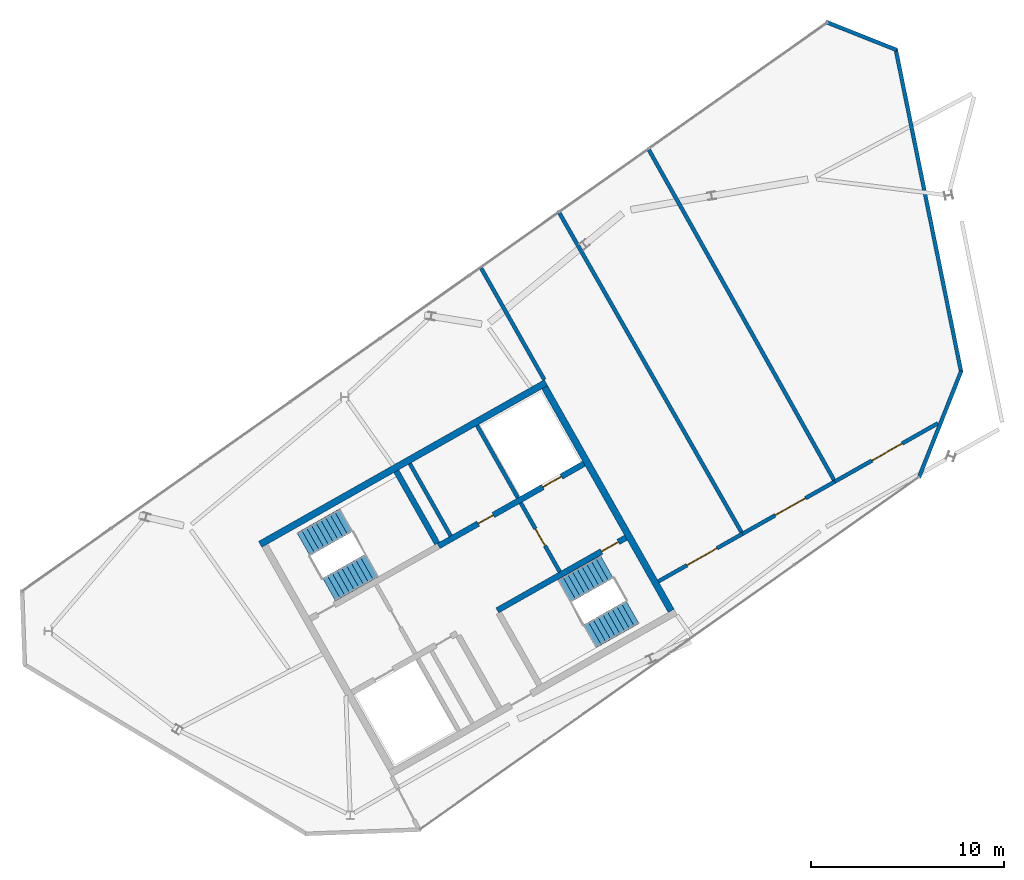
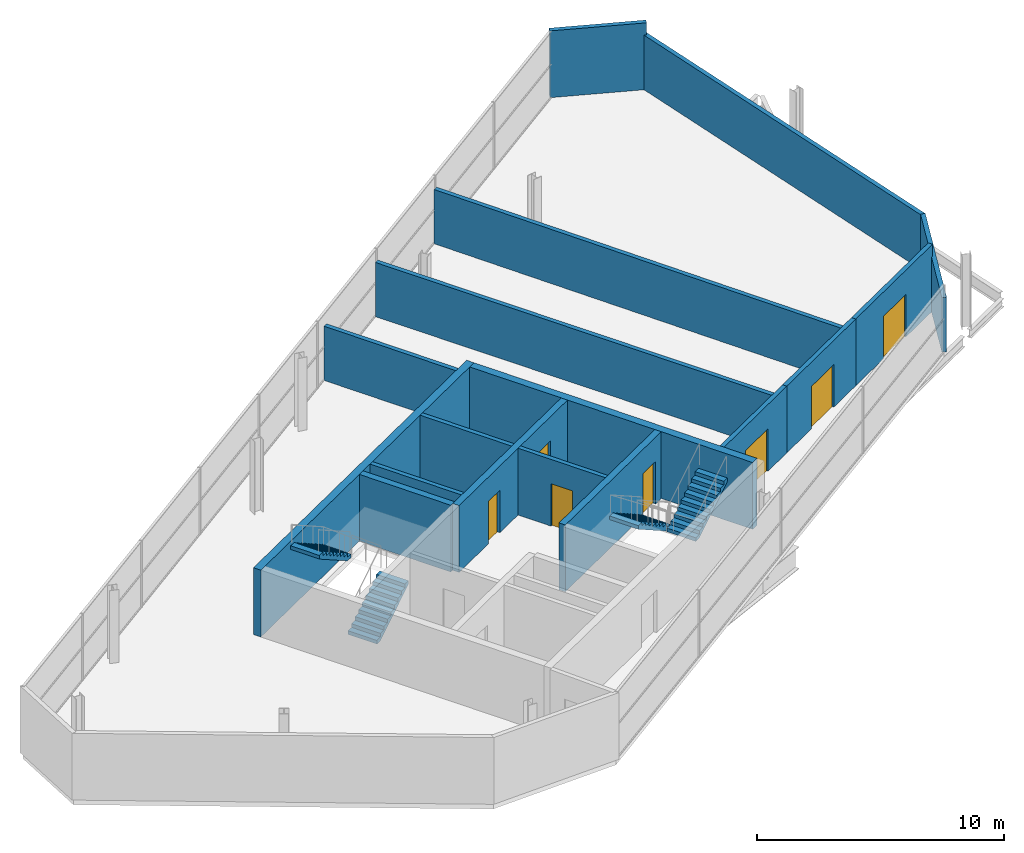
# One storey, part 10 of 11: 17 walls, 7 doors, 4 stair flights, 7 openings, 2 elements without a shape of their own.
"""IFC4 building model written with IfcOpenShell, lengths in metres."""

import ifcopenshell
import ifcopenshell.guid

model = None  # the IFC model being written
_history = None  # IfcOwnerHistory: only IFC2X3 demands one
_inside = {}  # id of a spatial element -> (the spatial element, [elements in it])
_under = {}  # id of a project, library or spatial element -> (it, [spatial elements below it])
_declared = {}  # id of a project -> (the project, [libraries it declares])
_typed = {}  # id of a type object -> (the type object, [elements of that type])
_made_of = {}  # id of a material, layer set ... -> (it, [elements and type objects made of it])


def new_model(schema):
    """Start an empty IFC model of exactly this schema.

    Asked for "IFC4X3", IfcOpenShell would pick the latest addendum, in which some entities
    have other attributes; the version numbers below select the first issue.
    IFC2X3 requires an IfcOwnerHistory on every rooted entity: one is made here for all.
    """
    global model, _history
    if schema == "IFC4X3":
        model = ifcopenshell.file(schema_version=(4, 3, 0, 0))
    else:
        model = ifcopenshell.file(schema=schema)
    _inside.clear()
    _under.clear()
    _declared.clear()
    _typed.clear()
    _made_of.clear()
    _history = None
    if model.schema == "IFC2X3":
        org = make("IfcOrganization", Name="unknown")
        user = make(
            "IfcPersonAndOrganization",
            ThePerson=make("IfcPerson", FamilyName="unknown"),
            TheOrganization=org,
        )
        app = make(
            "IfcApplication",
            ApplicationDeveloper=org,
            Version="unknown",
            ApplicationFullName="unknown",
            ApplicationIdentifier="unknown",
        )
        _history = make(
            "IfcOwnerHistory",
            OwningUser=user,
            OwningApplication=app,
            ChangeAction="ADDED",
            CreationDate=0,
        )
    return model


def make(cls, **values):
    """One entity of the class cls with the attributes given. An attribute that is None is left unset."""
    return model.create_entity(
        cls, **{name: value for name, value in values.items() if value is not None}
    )


def rooted(cls, **values):
    """An entity with a GlobalId (a new one), such as an element, a storey or a relation."""
    return make(cls, GlobalId=ifcopenshell.guid.new(), OwnerHistory=_history, **values)


def si_unit(unit_type, name, prefix=None):
    """IfcSIUnit, for example si_unit("LENGTHUNIT", "METRE", prefix="MILLI")."""
    return make("IfcSIUnit", UnitType=unit_type, Prefix=prefix, Name=name)


def assignment(units):
    """IfcUnitAssignment: the units of a project."""
    return None if units is None else make("IfcUnitAssignment", Units=units)


def point(xyz):
    """IfcCartesianPoint."""
    return None if xyz is None else make("IfcCartesianPoint", Coordinates=xyz)


def direction(xyz):
    """IfcDirection."""
    return None if xyz is None else make("IfcDirection", DirectionRatios=xyz)


def frame(location, z_axis=None, x_axis=None):
    """IfcAxis2Placement3D, a coordinate frame: its origin and axes. An axis left out is left unset."""
    return make(
        "IfcAxis2Placement3D",
        Location=point(location),
        Axis=direction(z_axis),
        RefDirection=direction(x_axis),
    )


def frame_2d(location, x_axis=None):
    """IfcAxis2Placement2D, a coordinate frame in the plane: its origin and x axis."""
    return make(
        "IfcAxis2Placement2D", Location=point(location), RefDirection=direction(x_axis)
    )


def origin():
    """The frame at (0, 0, 0) with its axes left unset."""
    return frame((0.0, 0.0, 0.0))


def place(relative_to, where):
    """IfcLocalPlacement: puts the frame where relative to a parent placement (None: the world)."""
    return make(
        "IfcLocalPlacement", PlacementRelTo=relative_to, RelativePlacement=where
    )


def context(
    kind, dimensions, precision=None, world=None, true_north=None, identifier=None
):
    """IfcGeometricRepresentationContext, for example the 3D "Model" context."""
    return make(
        "IfcGeometricRepresentationContext",
        ContextIdentifier=identifier,
        ContextType=kind,
        CoordinateSpaceDimension=dimensions,
        Precision=precision,
        WorldCoordinateSystem=world,
        TrueNorth=true_north,
    )


def subcontext(parent, identifier, kind, view, scale=None):
    """IfcGeometricRepresentationSubContext, for example "Body" below "Model"."""
    return make(
        "IfcGeometricRepresentationSubContext",
        ContextIdentifier=identifier,
        ContextType=kind,
        ParentContext=parent,
        TargetScale=scale,
        TargetView=view,
    )


def project(units=None, contexts=None):
    """IfcProject with its units and contexts."""
    return rooted(
        "IfcProject",
        Name="project",
        RepresentationContexts=contexts,
        UnitsInContext=assignment(units),
    )


def spatial(cls, under=None, at=None, **own):
    """A site, building, storey or space (cls), placed at a placement, below another one or the project."""
    s = rooted(cls, ObjectPlacement=at, **own)
    if under is not None:
        _under.setdefault(under.id(), (under, []))[1].append(s)
    return s


def polyline(points):
    """IfcPolyline through the points."""
    return make("IfcPolyline", Points=[point(p) for p in points])


def profile(cls, at=None, kind="AREA", **sizes):
    """A parametric profile (cls). Its sizes go by their IFC names, for example OverallWidth=200.0."""
    return make(cls, ProfileType=kind, Position=at, **sizes)


def rectangle(**sizes):
    """IfcRectangleProfileDef."""
    return profile("IfcRectangleProfileDef", **sizes)


def outline(outer, holes=None, kind="AREA"):
    """IfcArbitraryClosedProfileDef: a profile drawn as a closed curve; with holes, ...WithVoids."""
    if holes is None:
        return make("IfcArbitraryClosedProfileDef", ProfileType=kind, OuterCurve=outer)
    return make(
        "IfcArbitraryProfileDefWithVoids",
        ProfileType=kind,
        OuterCurve=outer,
        InnerCurves=holes,
    )


def extrude(swept, where, along, depth):
    """IfcExtrudedAreaSolid: the profile swept, set in the frame where, extruded along a direction by depth."""
    return make(
        "IfcExtrudedAreaSolid",
        SweptArea=swept,
        Position=where,
        ExtrudedDirection=direction(along),
        Depth=depth,
    )


def shape(context_of_items, identifier, shape_type, items):
    """IfcShapeRepresentation: the items that make up one representation, for example the "Body"."""
    return make(
        "IfcShapeRepresentation",
        ContextOfItems=context_of_items,
        RepresentationIdentifier=identifier,
        RepresentationType=shape_type,
        Items=items,
    )


def material(Name=None, Category=None):
    """IfcMaterial."""
    return make("IfcMaterial", Name=Name, Category=Category)


def layer(
    of_material, thickness, ventilated=None, Name=None, Category=None, Priority=None
):
    """IfcMaterialLayer: one layer of a wall or slab, of a material (None: an air gap)."""
    return make(
        "IfcMaterialLayer",
        Material=of_material,
        LayerThickness=thickness,
        IsVentilated=ventilated,
        Name=Name,
        Category=Category,
        Priority=Priority,
    )


def layer_set(layers, Name=None):
    """IfcMaterialLayerSet."""
    return make("IfcMaterialLayerSet", MaterialLayers=layers, LayerSetName=Name)


def made_of(thing, what):
    """Note that an element or type object is made of a material, layer set ...; save() writes the relation."""
    if what is not None:
        _made_of.setdefault(what.id(), (what, []))[1].append(thing)
    return thing


def type_object(cls, material=None, **own):
    """A type object (cls), such as IfcWallType, which elements share."""
    return made_of(rooted(cls, **own), material)


def element(
    cls,
    number,
    at=None,
    inside=None,
    cuts=None,
    type_object=None,
    material=None,
    context=None,
    identifier="Body",
    shape_type=None,
    held_by="IfcProductDefinitionShape",
    body=None,
    shapes=None,
    **own,
):
    """One element of the class cls, such as IfcWall. Its Tag is "e" and its number.

    at: its placement. inside: the storey or other place that contains it. cuts: it is an
    opening in that element (IfcRelVoidsElement). A single representation is given by context,
    identifier, shape_type and body (its items); several are given by shapes. held_by: the class
    of the entity that holds the representations. save() writes the other relations.
    """
    e = rooted(cls, Tag="e%d" % number, ObjectPlacement=at, **own)
    if body is not None:
        shapes = [shape(context, identifier, shape_type, body)]
    if shapes is not None:
        e.Representation = make(held_by, Representations=shapes)
    if inside is not None:
        _inside.setdefault(inside.id(), (inside, []))[1].append(e)
    if cuts is not None:
        rooted(
            "IfcRelVoidsElement", RelatingBuildingElement=cuts, RelatedOpeningElement=e
        )
    if type_object is not None:
        _typed.setdefault(type_object.id(), (type_object, []))[1].append(e)
    return made_of(e, material)


def fill(opening, filler):
    """IfcRelFillsElement: the door or window that sits in an opening."""
    return rooted(
        "IfcRelFillsElement",
        RelatingOpeningElement=opening,
        RelatedBuildingElement=filler,
    )


def aggregate(whole, parts):
    """IfcRelAggregates: a whole, such as a stair, and the parts it consists of."""
    return rooted("IfcRelAggregates", RelatingObject=whole, RelatedObjects=parts)


def save(model, path):
    """Write the relations noted so far, then the file.

    IfcRelAggregates (storeys below a building ...), IfcRelContainedInSpatialStructure (elements
    in a storey), IfcRelDefinesByType, IfcRelAssociatesMaterial and IfcRelDeclares: one each for
    every whole, place, type object, material and project.
    """
    for whole, parts in _under.values():
        aggregate(whole, parts)
    for where, things in _inside.values():
        rooted(
            "IfcRelContainedInSpatialStructure",
            RelatedElements=things,
            RelatingStructure=where,
        )
    for kind, things in _typed.values():
        rooted("IfcRelDefinesByType", RelatedObjects=things, RelatingType=kind)
    for what, things in _made_of.values():
        rooted("IfcRelAssociatesMaterial", RelatedObjects=things, RelatingMaterial=what)
    for by, libraries in _declared.values():
        rooted("IfcRelDeclares", RelatingContext=by, RelatedDefinitions=libraries)
    model.write(path)


model = new_model("IFC4")

# Units and contexts
model_context = context("Model", 3, precision=1e-05, world=origin(), true_north=direction((0.0, 1.0)))
body_context = subcontext(model_context, "Body", "Model", "MODEL_VIEW")
ifc_project = project(units=[si_unit("LENGTHUNIT", "METRE"), si_unit("AREAUNIT", "SQUARE_METRE"), si_unit("VOLUMEUNIT", "CUBIC_METRE"), si_unit("PLANEANGLEUNIT", "RADIAN"), si_unit("MASSUNIT", "GRAM", prefix="KILO")], contexts=[model_context])

# Site, building, storey
site_placement = place(None, origin())
site = spatial("IfcSite", under=ifc_project, at=site_placement, CompositionType="ELEMENT")
building_placement = place(site_placement, origin())
building = spatial("IfcBuilding", under=site, at=building_placement, Name="Binnacle Exchange Tower", CompositionType="ELEMENT")
storey_placement = place(building_placement, frame((0.0, 0.0, 361.300048828125)))
storey = spatial("IfcBuildingStorey", under=building, at=storey_placement, Name="L83", CompositionType="ELEMENT", Elevation=361.300048828125)

# Wall, openings, doors
ifc_material_1 = material(Name="Concrete C70/85", Category="concrete")
ifc_layer_1 = layer(ifc_material_1, 0.300048828125)
ifc_layer_set_1 = layer_set([ifc_layer_1], Name="Core wall - front 300")
wall_type_1 = type_object("IfcWallType", Name="Core wall - front 300", PredefinedType="SOLIDWALL", material=ifc_layer_set_1)
wall_1_placement = place(storey_placement, frame((-37.281982421875, 41.4345703125, 0.0), z_axis=(0.0, 0.0, 1.0), x_axis=(0.870364588774, 0.492407841741, 0.0)))
wall_1 = element("IfcWall", 1, at=wall_1_placement, inside=storey, type_object=wall_type_1, Name="Core wall CRWA5", PredefinedType="SOLIDWALL", context=body_context, shape_type="SweptSolid", body=[
    extrude(rectangle(XDim=8.64990234375, YDim=0.300048828125, at=frame_2d((4.324951171875, 0.0))), origin(), (0.0, 0.0, 1.0), 3.300048828125),
])
opening_1_placement = place(wall_1_placement, frame((6.199951171875, 0.0, 0.0)))
opening_1 = element("IfcOpeningElement", 2, at=opening_1_placement, cuts=wall_1, Name="Opening LD13", PredefinedType="OPENING", context=body_context, shape_type="SweptSolid", body=[
    extrude(rectangle(XDim=1.10009765625, YDim=2.10009765625, at=frame_2d((0.550048828125, 1.050048828125))), frame((0.0, 0.159912109375, 0.0), z_axis=(0.0, -1.0, 0.0), x_axis=(1.0, 0.0, 0.0)), (0.0, 0.0, 1.0), 0.320068359375),
])
opening_2_placement = place(wall_1_placement, frame((2.35009765625, 0.0, 0.0)))
opening_2 = element("IfcOpeningElement", 3, at=opening_2_placement, cuts=wall_1, Name="Opening DA10", PredefinedType="OPENING", context=body_context, shape_type="SweptSolid", body=[
    extrude(rectangle(XDim=0.89990234375, YDim=2.10009765625, at=frame_2d((0.449951171875, 1.050048828125))), frame((0.0, 0.159912109375, 0.0), z_axis=(0.0, -1.0, 0.0), x_axis=(1.0, 0.0, 0.0)), (0.0, 0.0, 1.0), 0.320068359375),
])
ifc_material_2 = material(Name="Steel door leaf", Category="steel")
door_type_1 = type_object("IfcDoorType", Name="Fire door - lift landing 1100", OperationType="NOTDEFINED", PredefinedType="DOOR", material=ifc_material_2)
door_1_placement = place(opening_1_placement, origin())
door_1 = element("IfcDoor", 4, at=door_1_placement, inside=storey, type_object=door_type_1, Name="Landing door LD13 L83", OperationType="DOUBLE_DOOR_SLIDING", OverallHeight=2.10009765625, OverallWidth=1.10009765625, PredefinedType="DOOR", context=body_context, shape_type="SweptSolid", body=[
    extrude(rectangle(XDim=1.10009765625, YDim=2.10009765625, at=frame_2d((0.550048828125, 1.050048828125))), frame((0.0, 0.02490234375, 0.0), z_axis=(0.0, -1.0, 0.0), x_axis=(1.0, 0.0, 0.0)), (0.0, 0.0, 1.0), 0.050048828125),
])
fill(opening_1, door_1)
door_type_2 = type_object("IfcDoorType", Name="Fire door 900", OperationType="NOTDEFINED", PredefinedType="DOOR", material=ifc_material_2)
door_2_placement = place(opening_2_placement, origin())
door_2 = element("IfcDoor", 5, at=door_2_placement, inside=storey, type_object=door_type_2, Name="Core room door EQUIPMENT STORE", OperationType="SINGLE_SWING_LEFT", OverallHeight=2.10009765625, OverallWidth=0.89990234375, PredefinedType="DOOR", context=body_context, shape_type="SweptSolid", body=[
    extrude(rectangle(XDim=0.89990234375, YDim=2.10009765625, at=frame_2d((0.449951171875, 1.050048828125))), frame((0.0, 0.02490234375, 0.0), z_axis=(0.0, -1.0, 0.0), x_axis=(1.0, 0.0, 0.0)), (0.0, 0.0, 1.0), 0.050048828125),
])
fill(opening_2, door_2)

# Walls
ifc_layer_2 = layer(ifc_material_1, 0.35009765625)
ifc_layer_set_2 = layer_set([ifc_layer_2], Name="Core wall - outer 350")
wall_type_2 = type_object("IfcWallType", Name="Core wall - outer 350", PredefinedType="SOLIDWALL", material=ifc_layer_set_2)
wall_2_placement = place(storey_placement, frame((-46.5224609375, 41.5205078125, 0.0), z_axis=(0.0, 0.0, 1.0), x_axis=(0.870359753402, 0.492416388494, 0.0)))
element("IfcWall", 6, at=wall_2_placement, inside=storey, type_object=wall_type_2, Name="Core wall CRWA6", PredefinedType="SOLIDWALL", context=body_context, shape_type="SweptSolid", body=[
    extrude(rectangle(XDim=17.0, YDim=0.35009765625, at=frame_2d((8.5, 0.0))), origin(), (0.0, 0.0, 1.0), 3.300048828125),
])
wall_3_placement = place(storey_placement, frame((-31.79248046875, 49.6533203125, 0.0), z_axis=(0.0, 0.0, 1.0), x_axis=(0.492421943245, -0.870356610712, 0.0)))
element("IfcWall", 7, at=wall_3_placement, inside=storey, type_object=wall_type_2, Name="Core wall CRWA22", PredefinedType="SOLIDWALL", context=body_context, shape_type="SweptSolid", body=[
    extrude(rectangle(XDim=13.30029296875, YDim=0.35009765625, at=frame_2d((6.650146484375, 0.0))), origin(), (0.0, 0.0, 1.0), 3.300048828125),
])

# Wall, opening, door
ifc_layer_3 = layer(ifc_material_1, 0.300048828125)
ifc_layer_set_3 = layer_set([ifc_layer_3], Name="Core wall - stair 300")
wall_type_3 = type_object("IfcWallType", Name="Core wall - stair 300", PredefinedType="SOLIDWALL", material=ifc_layer_set_3)
wall_4_placement = place(storey_placement, frame((-34.2451171875, 38.097412109375, 0.0), z_axis=(0.0, 0.0, 1.0), x_axis=(0.870352347706, 0.49242947804, 0.0)))
wall_4 = element("IfcWall", 8, at=wall_4_placement, inside=storey, type_object=wall_type_3, Name="Core wall CRWA3", PredefinedType="SOLIDWALL", context=body_context, shape_type="SweptSolid", body=[
    extrude(rectangle(XDim=7.64990234375, YDim=0.300048828125, at=frame_2d((3.824951171875, 0.0))), origin(), (0.0, 0.0, 1.0), 3.300048828125),
])
opening_3_placement = place(wall_4_placement, frame((6.199951171875, 0.0, 0.0)))
opening_3 = element("IfcOpeningElement", 9, at=opening_3_placement, cuts=wall_4, Name="Opening DA2", PredefinedType="OPENING", context=body_context, shape_type="SweptSolid", body=[
    extrude(rectangle(XDim=1.0, YDim=2.10009765625, at=frame_2d((0.5, 1.050048828125))), frame((0.0, 0.159912109375, 0.0), z_axis=(0.0, -1.0, 0.0), x_axis=(1.0, 0.0, 0.0)), (0.0, 0.0, 1.0), 0.320068359375),
])
door_type_3 = type_object("IfcDoorType", Name="Fire door 1000", OperationType="NOTDEFINED", PredefinedType="DOOR", material=ifc_material_2)
door_3_placement = place(opening_3_placement, frame((1.0, 0.0, 0.0), z_axis=(0.0, 0.0, 1.0), x_axis=(-1.0, 0.0, 0.0)))
door_3 = element("IfcDoor", 10, at=door_3_placement, inside=storey, type_object=door_type_3, Name="Stair door ST-A2", OperationType="SINGLE_SWING_LEFT", OverallHeight=2.10009765625, OverallWidth=1.0, PredefinedType="DOOR", context=body_context, shape_type="SweptSolid", body=[
    extrude(rectangle(XDim=1.0, YDim=2.10009765625, at=frame_2d((0.5, 1.050048828125))), frame((0.0, 0.02490234375, 0.0), z_axis=(0.0, -1.0, 0.0), x_axis=(1.0, 0.0, 0.0)), (0.0, 0.0, 1.0), 0.050048828125),
])
fill(opening_3, door_3)

# Walls
wall_5_placement = place(storey_placement, frame((-39.473388671875, 45.3076171875, 0.0), z_axis=(0.0, 0.0, 1.0), x_axis=(0.492410799949, -0.870362915164, 0.0)))
element("IfcWall", 11, at=wall_5_placement, inside=storey, type_object=wall_type_3, Name="Core wall CRWA14", PredefinedType="SOLIDWALL", context=body_context, shape_type="SweptSolid", body=[
    extrude(rectangle(XDim=4.300048828125, YDim=0.300048828125, at=frame_2d((2.14990234375, 0.0))), origin(), (0.0, 0.0, 1.0), 3.300048828125),
])
ifc_material_3 = material(Name="Bronze aluminium louvre", Category="aluminium")
ifc_layer_4 = layer(ifc_material_3, 0.199951171875)
ifc_layer_set_4 = layer_set([ifc_layer_4], Name="External wall - crown louvre 200")
wall_type_4 = type_object("IfcWallType", Name="External wall - crown louvre 200", PredefinedType="STANDARD", material=ifc_layer_set_4)
wall_6_placement = place(storey_placement, frame((-10.220458984375, 50.5009765625, 0.0), z_axis=(0.0, 0.0, 1.0), x_axis=(-0.369026712049, -0.929418789241, 0.0)))
element("IfcWall", 12, at=wall_6_placement, inside=storey, type_object=wall_type_4, Name="External wall EW-C300 L83", PredefinedType="STANDARD", context=body_context, shape_type="SweptSolid", body=[
    extrude(rectangle(XDim=5.968017578125, YDim=0.199951171875, at=frame_2d((2.98388671875, 0.0))), origin(), (0.0, 0.0, 1.0), 2.699951171875),
])
wall_7_placement = place(storey_placement, frame((-13.61962890625, 67.187744140625, 0.0), z_axis=(0.0, 0.0, 1.0), x_axis=(0.198668549131, -0.980066736292, 0.0)))
element("IfcWall", 13, at=wall_7_placement, inside=storey, type_object=wall_type_4, Name="External wall EW-C301 L83", PredefinedType="STANDARD", context=body_context, shape_type="SweptSolid", body=[
    extrude(rectangle(XDim=17.083984375, YDim=0.199951171875, at=frame_2d((8.5419921875, 0.0))), origin(), (0.0, 0.0, 1.0), 2.699951171875),
])
wall_8_placement = place(storey_placement, frame((-17.2412109375, 68.576904296875, 0.0), z_axis=(0.0, 0.0, 1.0), x_axis=(0.929408544005, -0.369052514325, 0.0)))
element("IfcWall", 14, at=wall_8_placement, inside=storey, type_object=wall_type_4, Name="External wall EW-C302 L83", PredefinedType="STANDARD", context=body_context, shape_type="SweptSolid", body=[
    extrude(rectangle(XDim=3.962646484375, YDim=0.199951171875, at=frame_2d((1.9814453125, 0.0))), origin(), (0.0, 0.0, 1.0), 3.300048828125),
])
ifc_material_4 = material(Name="Masonry block wall", Category="masonry")
ifc_layer_5 = layer(ifc_material_4, 0.199951171875)
ifc_layer_set_5 = layer_set([ifc_layer_5], Name="Fire wall - block 200")
wall_type_5 = type_object("IfcWallType", Name="Fire wall - block 200", PredefinedType="PARTITIONING", material=ifc_layer_set_5)
wall_9_placement = place(storey_placement, frame((-35.080078125, 55.819091796875, 0.0), z_axis=(0.0, 0.0, 1.0), x_axis=(0.49249727422, -0.870313986379, 0.0)))
element("IfcWall", 15, at=wall_9_placement, inside=storey, type_object=wall_type_5, Name="Partition W02", PredefinedType="PARTITIONING", context=body_context, shape_type="SweptSolid", body=[
    extrude(rectangle(XDim=6.6357421875, YDim=0.199951171875, at=frame_2d((3.31787109375, 0.0))), origin(), (0.0, 0.0, 1.0), 2.679931640625),
])
wall_10_placement = place(storey_placement, frame((-31.031005859375, 58.678955078125, 0.0), z_axis=(0.0, 0.0, 1.0), x_axis=(0.495492853456, -0.868612014753, 0.0)))
element("IfcWall", 16, at=wall_10_placement, inside=storey, type_object=wall_type_5, Name="Partition W03", PredefinedType="PARTITIONING", context=body_context, shape_type="SweptSolid", body=[
    extrude(rectangle(XDim=19.13037109375, YDim=0.199951171875, at=frame_2d((9.565185546875, 0.0))), origin(), (0.0, 0.0, 1.0), 2.679931640625),
])
wall_11_placement = place(storey_placement, frame((-26.39892578125, 61.949951171875, 0.0), z_axis=(0.0, 0.0, 1.0), x_axis=(0.489116217078, -0.872218622933, 0.0)))
element("IfcWall", 17, at=wall_11_placement, inside=storey, type_object=wall_type_5, Name="Partition W04", PredefinedType="PARTITIONING", context=body_context, shape_type="SweptSolid", body=[
    extrude(rectangle(XDim=19.69677734375, YDim=0.199951171875, at=frame_2d((9.848388671875, 0.0))), origin(), (0.0, 0.0, 1.0), 2.679931640625),
])

# Wall, opening, door
wall_12_placement = place(storey_placement, frame((-25.904052734375, 39.60009765625, 0.0), z_axis=(0.0, 0.0, 1.0), x_axis=(0.870386362759, 0.492369352746, 0.0)))
wall_12 = element("IfcWall", 18, at=wall_12_placement, inside=storey, type_object=wall_type_5, Name="Partition W05", PredefinedType="PARTITIONING", context=body_context, shape_type="SweptSolid", body=[
    extrude(rectangle(XDim=5.000244140625, YDim=0.199951171875, at=frame_2d((2.5, 0.0))), origin(), (0.0, 0.0, 1.0), 3.300048828125),
])
opening_4_placement = place(wall_12_placement, frame((1.699951171875, 0.0, 0.0)))
opening_4 = element("IfcOpeningElement", 19, at=opening_4_placement, cuts=wall_12, Name="Opening DL83-01", PredefinedType="OPENING", context=body_context, shape_type="SweptSolid", body=[
    extrude(rectangle(XDim=1.800048828125, YDim=2.10009765625, at=frame_2d((0.89990234375, 1.050048828125))), frame((0.0, 0.10986328125, 0.0), z_axis=(0.0, -1.0, 0.0), x_axis=(1.0, 0.0, 0.0)), (0.0, 0.0, 1.0), 0.219970703125),
])
door_type_4 = type_object("IfcDoorType", Name="Fire door 1800", OperationType="NOTDEFINED", PredefinedType="DOOR", material=ifc_material_2)
door_4_placement = place(opening_4_placement, origin())
door_4 = element("IfcDoor", 20, at=door_4_placement, inside=storey, type_object=door_type_4, Name="Door DL83-01", OperationType="DOUBLE_DOOR_SINGLE_SWING", OverallHeight=2.10009765625, OverallWidth=1.800048828125, PredefinedType="DOOR", context=body_context, shape_type="SweptSolid", body=[
    extrude(rectangle(XDim=1.800048828125, YDim=2.10009765625, at=frame_2d((0.89990234375, 1.050048828125))), frame((0.0, 0.02490234375, 0.0), z_axis=(0.0, -1.0, 0.0), x_axis=(1.0, 0.0, 0.0)), (0.0, 0.0, 1.0), 0.050048828125),
])
fill(opening_4, door_4)

wall_13_placement = place(storey_placement, frame((-21.552001953125, 42.06201171875, 0.0), z_axis=(0.0, 0.0, 1.0), x_axis=(0.870387515286, 0.492367315359, 0.0)))
wall_13 = element("IfcWall", 21, at=wall_13_placement, inside=storey, type_object=wall_type_5, Name="Partition W06", PredefinedType="PARTITIONING", context=body_context, shape_type="SweptSolid", body=[
    extrude(rectangle(XDim=5.5, YDim=0.199951171875, at=frame_2d((2.75, 0.0))), origin(), (0.0, 0.0, 1.0), 3.300048828125),
])
opening_5_placement = place(wall_13_placement, frame((1.949951171875, 0.0, 0.0)))
opening_5 = element("IfcOpeningElement", 22, at=opening_5_placement, cuts=wall_13, Name="Opening DL83-02", PredefinedType="OPENING", context=body_context, shape_type="SweptSolid", body=[
    extrude(rectangle(XDim=1.800048828125, YDim=2.10009765625, at=frame_2d((0.89990234375, 1.050048828125))), frame((0.0, 0.10986328125, 0.0), z_axis=(0.0, -1.0, 0.0), x_axis=(1.0, 0.0, 0.0)), (0.0, 0.0, 1.0), 0.219970703125),
])
door_5_placement = place(opening_5_placement, origin())
door_5 = element("IfcDoor", 23, at=door_5_placement, inside=storey, type_object=door_type_4, Name="Door DL83-02", OperationType="DOUBLE_DOOR_SINGLE_SWING", OverallHeight=2.10009765625, OverallWidth=1.800048828125, PredefinedType="DOOR", context=body_context, shape_type="SweptSolid", body=[
    extrude(rectangle(XDim=1.800048828125, YDim=2.10009765625, at=frame_2d((0.89990234375, 1.050048828125))), frame((0.0, 0.02490234375, 0.0), z_axis=(0.0, -1.0, 0.0), x_axis=(1.0, 0.0, 0.0)), (0.0, 0.0, 1.0), 0.050048828125),
])
fill(opening_5, door_5)

wall_14_placement = place(storey_placement, frame((-16.764892578125, 44.77001953125, 0.0), z_axis=(0.0, 0.0, 1.0), x_axis=(0.870320026037, 0.492486601116, 0.0)))
wall_14 = element("IfcWall", 24, at=wall_14_placement, inside=storey, type_object=wall_type_5, Name="Partition W07", PredefinedType="PARTITIONING", context=body_context, shape_type="SweptSolid", body=[
    extrude(rectangle(XDim=6.126220703125, YDim=0.199951171875, at=frame_2d((3.06298828125, 0.0))), origin(), (0.0, 0.0, 1.0), 3.300048828125),
])
opening_6_placement = place(wall_14_placement, frame((2.199951171875, 0.0, 0.0)))
opening_6 = element("IfcOpeningElement", 25, at=opening_6_placement, cuts=wall_14, Name="Opening DL83-03", PredefinedType="OPENING", context=body_context, shape_type="SweptSolid", body=[
    extrude(rectangle(XDim=1.800048828125, YDim=2.10009765625, at=frame_2d((0.89990234375, 1.050048828125))), frame((0.0, 0.10986328125, 0.0), z_axis=(0.0, -1.0, 0.0), x_axis=(1.0, 0.0, 0.0)), (0.0, 0.0, 1.0), 0.219970703125),
])
door_6_placement = place(opening_6_placement, origin())
door_6 = element("IfcDoor", 26, at=door_6_placement, inside=storey, type_object=door_type_4, Name="Door DL83-03", OperationType="DOUBLE_DOOR_SINGLE_SWING", OverallHeight=2.10009765625, OverallWidth=1.800048828125, PredefinedType="DOOR", context=body_context, shape_type="SweptSolid", body=[
    extrude(rectangle(XDim=1.800048828125, YDim=2.10009765625, at=frame_2d((0.89990234375, 1.050048828125))), frame((0.0, 0.02490234375, 0.0), z_axis=(0.0, -1.0, 0.0), x_axis=(1.0, 0.0, 0.0)), (0.0, 0.0, 1.0), 0.050048828125),
])
fill(opening_6, door_6)

ifc_layer_6 = layer(ifc_material_4, 0.199951171875)
ifc_layer_set_6 = layer_set([ifc_layer_6], Name="Fire wall - vestibule 200")
wall_type_6 = type_object("IfcWallType", Name="Fire wall - vestibule 200", PredefinedType="PARTITIONING", material=ifc_layer_set_6)
wall_15_placement = place(storey_placement, frame((-33.030517578125, 43.66748046875, 0.0), z_axis=(0.0, 0.0, 1.0), x_axis=(0.492408451753, -0.87036424366, 0.0)))
wall_15 = element("IfcWall", 27, at=wall_15_placement, inside=storey, type_object=wall_type_6, Name="Core wall CRWA19", PredefinedType="PARTITIONING", context=body_context, shape_type="SweptSolid", body=[
    extrude(rectangle(XDim=4.099853515625, YDim=0.199951171875, at=frame_2d((2.0498046875, 0.0))), origin(), (0.0, 0.0, 1.0), 3.300048828125),
])
opening_7_placement = place(wall_15_placement, frame((1.550048828125, 0.0, 0.0)))
opening_7 = element("IfcOpeningElement", 28, at=opening_7_placement, cuts=wall_15, Name="Opening DA4", PredefinedType="OPENING", context=body_context, shape_type="SweptSolid", body=[
    extrude(rectangle(XDim=1.0, YDim=2.10009765625, at=frame_2d((0.5, 1.050048828125))), frame((0.0, 0.10986328125, 0.0), z_axis=(0.0, -1.0, 0.0), x_axis=(1.0, 0.0, 0.0)), (0.0, 0.0, 1.0), 0.219970703125),
])
door_7_placement = place(opening_7_placement, origin())
door_7 = element("IfcDoor", 29, at=door_7_placement, inside=storey, type_object=door_type_3, Name="Vestibule door VEST-E", OperationType="SINGLE_SWING_RIGHT", OverallHeight=2.10009765625, OverallWidth=1.0, PredefinedType="DOOR", context=body_context, shape_type="SweptSolid", body=[
    extrude(rectangle(XDim=1.0, YDim=2.10009765625, at=frame_2d((0.5, 1.050048828125))), frame((0.0, 0.02490234375, 0.0), z_axis=(0.0, -1.0, 0.0), x_axis=(1.0, 0.0, 0.0)), (0.0, 0.0, 1.0), 0.050048828125),
])
fill(opening_7, door_7)

# Walls
ifc_layer_7 = layer(ifc_material_4, 0.199951171875)
ifc_layer_set_7 = layer_set([ifc_layer_7], Name="Riser wall 200")
wall_type_7 = type_object("IfcWallType", Name="Riser wall 200", PredefinedType="SOLIDWALL", material=ifc_layer_set_7)
wall_16_placement = place(storey_placement, frame((-38.777099609375, 45.701416015625, 0.0), z_axis=(0.0, 0.0, 1.0), x_axis=(0.492435133428, -0.870349147967, 0.0)))
element("IfcWall", 30, at=wall_16_placement, inside=storey, type_object=wall_type_7, Name="Core wall CRWA15", PredefinedType="SOLIDWALL", context=body_context, shape_type="SweptSolid", body=[
    extrude(rectangle(XDim=4.2998046875, YDim=0.199951171875, at=frame_2d((2.14990234375, 0.0))), origin(), (0.0, 0.0, 1.0), 3.300048828125),
])
ifc_layer_8 = layer(ifc_material_4, 0.199951171875)
ifc_layer_set_8 = layer_set([ifc_layer_8], Name="Shaft wall 200")
wall_type_8 = type_object("IfcWallType", Name="Shaft wall 200", PredefinedType="SOLIDWALL", material=ifc_layer_set_8)
wall_17_placement = place(storey_placement, frame((-35.295654296875, 47.671142578125, 0.0), z_axis=(0.0, 0.0, 1.0), x_axis=(0.492435133428, -0.870349147967, 0.0)))
element("IfcWall", 31, at=wall_17_placement, inside=storey, type_object=wall_type_8, Name="Core wall CRWA21", PredefinedType="SOLIDWALL", context=body_context, shape_type="SweptSolid", body=[
    extrude(rectangle(XDim=4.2998046875, YDim=0.199951171875, at=frame_2d((2.14990234375, 0.0))), origin(), (0.0, 0.0, 1.0), 3.300048828125),
])

# Stair, stair flights
ifc_material_5 = material(Name="Concrete C35/45", Category="concrete")
stair_type = type_object("IfcStairType", Name="STAIR 20 RISERS 180", PredefinedType="HALF_TURN_STAIR", material=ifc_material_5)
stair_1_placement = place(storey_placement, origin())
stair_1 = element("IfcStair", 32, at=stair_1_placement, inside=storey, type_object=stair_type, Name="L83 Escape stair A1", PredefinedType="HALF_TURN_STAIR")
stair_flight_type = type_object("IfcStairFlightType", Name="STAIR FLIGHT 180X280", PredefinedType="STRAIGHT", material=ifc_material_5)
stair_flight_1_placement = place(storey_placement, frame((-42.9541015625, 39.17333984375, 0.0), z_axis=(0.0, 0.0, 1.0), x_axis=(0.870355584213, 0.492423757581, 0.0)))
stair_flight_1 = element("IfcStairFlight", 33, at=stair_flight_1_placement, type_object=stair_flight_type, Name="STA1 flight 1", NumberOfRisers=10, NumberOfTreads=9, PredefinedType="STRAIGHT", RiserHeight=0.18, TreadLength=0.28, context=body_context, shape_type="SweptSolid", body=[
    extrude(outline(polyline([(0.0, 0.0), (0.0, 0.179931640625), (0.280029296875, 0.179931640625), (0.280029296875, 0.360107421875), (0.56005859375, 0.360107421875), (0.56005859375, 0.5400390625), (0.840087890625, 0.5400390625), (0.840087890625, 0.719970703125), (1.1201171875, 0.719970703125), (1.1201171875, 0.89990234375), (1.39990234375, 0.89990234375), (1.39990234375, 1.080078125), (1.679931640625, 1.080078125), (1.679931640625, 1.260009765625), (1.9599609375, 1.260009765625), (1.9599609375, 1.43994140625), (2.239990234375, 1.43994140625), (2.239990234375, 1.6201171875), (2.52001953125, 1.6201171875), (2.52001953125, 1.800048828125), (2.52001953125, 1.44189453125), (0.277099609375, 0.0), (0.0, 0.0)])), frame((0.0, 0.675048828125, 0.0), z_axis=(0.0, -1.0, 0.0), x_axis=(1.0, 0.0, 0.0)), (0.0, 0.0, 1.0), 1.35009765625),
])
stair_flight_2_placement = place(storey_placement, frame((-42.09033203125, 42.76416015625, 1.800048828125), z_axis=(0.0, 0.0, 1.0), x_axis=(-0.870355584213, -0.492423757581, 0.0)))
stair_flight_2 = element("IfcStairFlight", 34, at=stair_flight_2_placement, type_object=stair_flight_type, Name="STA1 flight 2", NumberOfRisers=10, NumberOfTreads=9, PredefinedType="STRAIGHT", RiserHeight=0.18, TreadLength=0.28, context=body_context, shape_type="SweptSolid", body=[
    extrude(outline(polyline([(0.0, 0.0), (0.0, 0.179931640625), (0.280029296875, 0.179931640625), (0.280029296875, 0.360107421875), (0.56005859375, 0.360107421875), (0.56005859375, 0.5400390625), (0.840087890625, 0.5400390625), (0.840087890625, 0.719970703125), (1.1201171875, 0.719970703125), (1.1201171875, 0.89990234375), (1.39990234375, 0.89990234375), (1.39990234375, 1.080078125), (1.679931640625, 1.080078125), (1.679931640625, 1.260009765625), (1.9599609375, 1.260009765625), (1.9599609375, 1.43994140625), (2.239990234375, 1.43994140625), (2.239990234375, 1.6201171875), (2.52001953125, 1.6201171875), (2.52001953125, 1.800048828125), (2.52001953125, 1.44189453125), (0.277099609375, 0.0), (0.0, 0.0)])), frame((0.0, 0.675048828125, 0.0), z_axis=(0.0, -1.0, 0.0), x_axis=(1.0, 0.0, 0.0)), (0.0, 0.0, 1.0), 1.35009765625),
])
aggregate(stair_1, [stair_flight_1, stair_flight_2])

stair_2_placement = place(storey_placement, origin())
stair_2 = element("IfcStair", 35, at=stair_2_placement, inside=storey, type_object=stair_type, Name="L83 Escape stair A2", PredefinedType="HALF_TURN_STAIR")
stair_flight_3_placement = place(storey_placement, frame((-28.5732421875, 40.3583984375, 0.0), z_axis=(0.0, 0.0, 1.0), x_axis=(-0.870355584213, -0.492423757581, 0.0)))
stair_flight_3 = element("IfcStairFlight", 36, at=stair_flight_3_placement, type_object=stair_flight_type, Name="STA2 flight 1", NumberOfRisers=10, NumberOfTreads=9, PredefinedType="STRAIGHT", RiserHeight=0.18, TreadLength=0.28, context=body_context, shape_type="SweptSolid", body=[
    extrude(outline(polyline([(0.0, 0.0), (0.0, 0.179931640625), (0.280029296875, 0.179931640625), (0.280029296875, 0.360107421875), (0.56005859375, 0.360107421875), (0.56005859375, 0.5400390625), (0.840087890625, 0.5400390625), (0.840087890625, 0.719970703125), (1.1201171875, 0.719970703125), (1.1201171875, 0.89990234375), (1.39990234375, 0.89990234375), (1.39990234375, 1.080078125), (1.679931640625, 1.080078125), (1.679931640625, 1.260009765625), (1.9599609375, 1.260009765625), (1.9599609375, 1.43994140625), (2.239990234375, 1.43994140625), (2.239990234375, 1.6201171875), (2.52001953125, 1.6201171875), (2.52001953125, 1.800048828125), (2.52001953125, 1.44189453125), (0.277099609375, 0.0), (0.0, 0.0)])), frame((0.0, 0.675048828125, 0.0), z_axis=(0.0, -1.0, 0.0), x_axis=(1.0, 0.0, 0.0)), (0.0, 0.0, 1.0), 1.35009765625),
])
stair_flight_4_placement = place(storey_placement, frame((-29.43701171875, 36.767578125, 1.800048828125), z_axis=(0.0, 0.0, 1.0), x_axis=(0.870355584213, 0.492423757581, 0.0)))
stair_flight_4 = element("IfcStairFlight", 37, at=stair_flight_4_placement, type_object=stair_flight_type, Name="STA2 flight 2", NumberOfRisers=10, NumberOfTreads=9, PredefinedType="STRAIGHT", RiserHeight=0.18, TreadLength=0.28, context=body_context, shape_type="SweptSolid", body=[
    extrude(outline(polyline([(0.0, 0.0), (0.0, 0.179931640625), (0.280029296875, 0.179931640625), (0.280029296875, 0.360107421875), (0.56005859375, 0.360107421875), (0.56005859375, 0.5400390625), (0.840087890625, 0.5400390625), (0.840087890625, 0.719970703125), (1.1201171875, 0.719970703125), (1.1201171875, 0.89990234375), (1.39990234375, 0.89990234375), (1.39990234375, 1.080078125), (1.679931640625, 1.080078125), (1.679931640625, 1.260009765625), (1.9599609375, 1.260009765625), (1.9599609375, 1.43994140625), (2.239990234375, 1.43994140625), (2.239990234375, 1.6201171875), (2.52001953125, 1.6201171875), (2.52001953125, 1.800048828125), (2.52001953125, 1.44189453125), (0.277099609375, 0.0), (0.0, 0.0)])), frame((0.0, 0.675048828125, 0.0), z_axis=(0.0, -1.0, 0.0), x_axis=(1.0, 0.0, 0.0)), (0.0, 0.0, 1.0), 1.35009765625),
])
aggregate(stair_2, [stair_flight_3, stair_flight_4])

save(model, "model.ifc")
